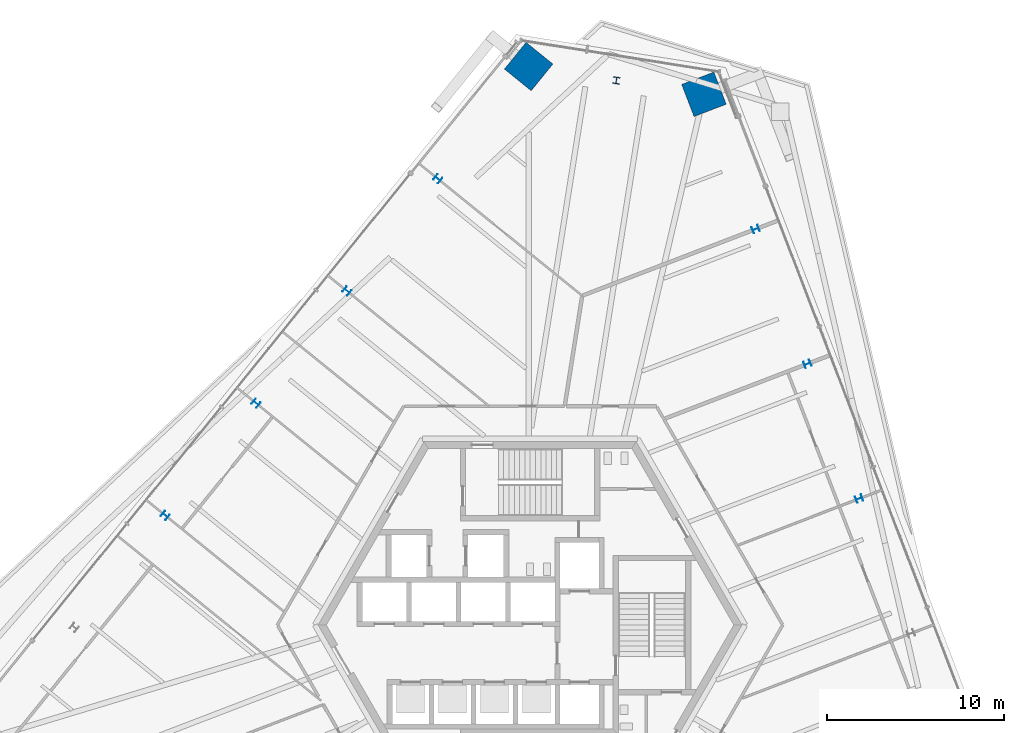
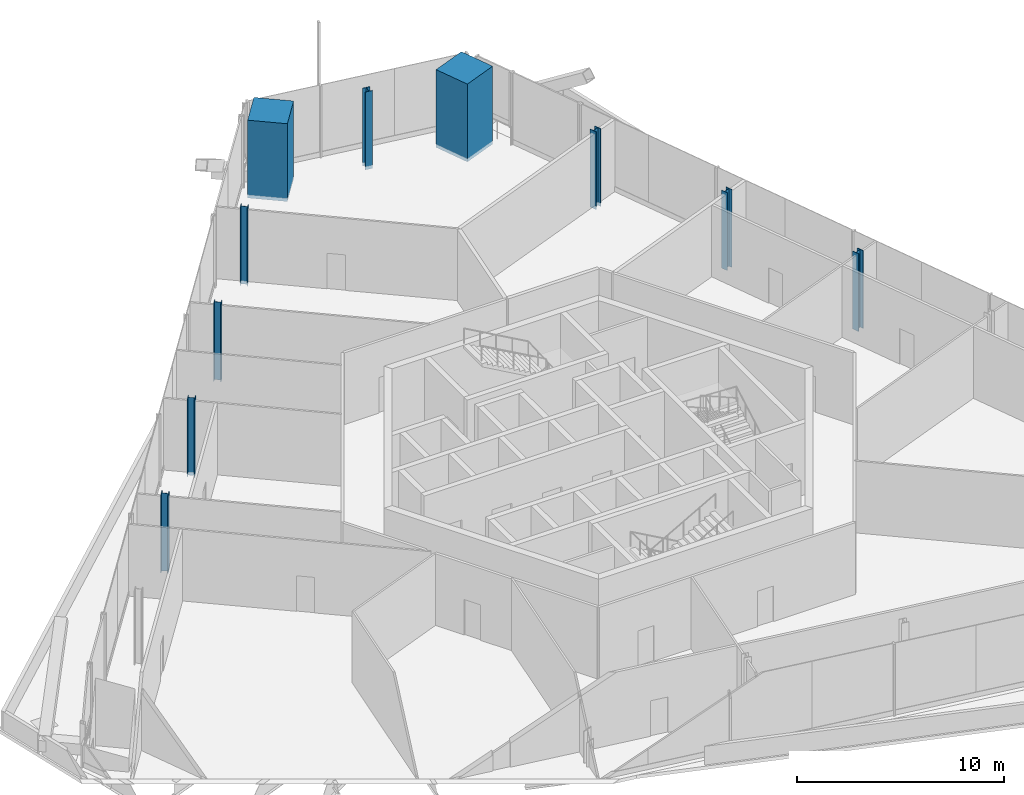
# One storey, part 3 of 22: 10 columns.
"""IFC4 building model written with IfcOpenShell, lengths in metres."""

from ifc_helpers import new_model, si_unit, direction, frame, origin, origin_2d, place, context, subcontext, project, spatial, rectangle, i_section, extrude, source, transform, mapped, material, material_profile, profile_set, type_object, element, save


model = new_model("IFC4")

# Units and contexts
model_context = context("Model", 3, precision=1e-05, world=origin(), true_north=direction((0.0, 1.0)))
body_context = subcontext(model_context, "Body", "Model", "MODEL_VIEW")
ifc_project = project(units=[si_unit("LENGTHUNIT", "METRE"), si_unit("AREAUNIT", "SQUARE_METRE"), si_unit("VOLUMEUNIT", "CUBIC_METRE"), si_unit("PLANEANGLEUNIT", "RADIAN"), si_unit("MASSUNIT", "GRAM", prefix="KILO")], contexts=[model_context])

# Site, building, storey
site_placement = place(None, origin())
site = spatial("IfcSite", under=ifc_project, at=site_placement, CompositionType="ELEMENT")
building_placement = place(site_placement, origin())
building = spatial("IfcBuilding", under=site, at=building_placement, Name="Triune Harvest Tower", CompositionType="ELEMENT")
storey_placement = place(building_placement, frame((0.0, 0.0, 138.10009765625)))
storey = spatial("IfcBuildingStorey", under=building, at=storey_placement, Name="L35", CompositionType="ELEMENT", Elevation=138.10009765625)

# Columns
ifc_material_1 = material(Name="Concrete 70 MPa", Category="concrete")
ifc_material_profile_1 = material_profile(ifc_material_1, rectangle(XDim=1.949951171875, YDim=1.949951171875, at=origin_2d()), Name="Composite 1950x1950")
ifc_profile_set_1 = profile_set([ifc_material_profile_1], Name="Concrete 70 MPa")
column_type_1 = type_object("IfcColumnType", Name="MC-4 Mega column Composite 1950x1950", PredefinedType="COLUMN", material=ifc_profile_set_1)
shared_shape_1 = source(origin(), body_context, "Body", "SweptSolid", [
    extrude(rectangle(XDim=1.949951171875, YDim=1.949951171875, at=origin_2d()), origin(), (0.0, 0.0, 1.0), 4.60009765625),
])
for number, where, z_axis, x_axis, name in (
    (1, (9.846923828125, 30.0498046875, -0.2001953125), (0.0, 0.0, 1.0), (-0.358367949545, 0.933580426497, 0.0), "col/L35/M6"),
    (2, (-0.0791015625, 31.621826171875, -0.2001953125), (0.0, 0.0, 1.0), (-0.629321747424, -0.777144863084, 0.0), "col/L35/M8"),
):
    element("IfcColumn", number, at=place(storey_placement, frame(where, z_axis=z_axis, x_axis=x_axis)), inside=storey, type_object=column_type_1, Name=name, PredefinedType="COLUMN", context=body_context, shape_type="MappedRepresentation", body=[
        mapped(shared_shape_1, transform((0.0, 0.0, 0.0), scale=1.0)),
    ])
ifc_material_2 = material(Name="Steel ASTM A992 Gr 50", Category="steel")
ifc_material_profile_2 = material_profile(ifc_material_2, i_section(OverallWidth=0.373291015625, OverallDepth=0.373291015625, WebThickness=0.016357421875, FlangeThickness=0.026123046875, at=origin_2d()), Name="W14x132")
ifc_profile_set_2 = profile_set([ifc_material_profile_2], Name="Steel ASTM A992 Gr 50")
column_type_2 = type_object("IfcColumnType", Name="PC-4 Perimeter column W14x132", PredefinedType="COLUMN", material=ifc_profile_set_2)
shared_shape_2 = source(origin(), body_context, "Body", "SweptSolid", [
    extrude(i_section(OverallWidth=0.373291015625, OverallDepth=0.373291015625, WebThickness=0.016357421875, FlangeThickness=0.026123046875, at=origin_2d()), origin(), (0.0, 0.0, 1.0), 4.60009765625),
])
for number, where, z_axis, x_axis, name in (
    (3, (18.635986328125, 7.15380859375, -0.2001953125), (0.0, 0.0, 1.0), (-0.358367949545, 0.933580426497, 0.0), "col/L35/P3"),
    (4, (15.706298828125, 14.78564453125, -0.2001953125), (0.0, 0.0, 1.0), (-0.358367949545, 0.933580426497, 0.0), "col/L35/P4"),
    (5, (12.776611328125, 22.417724609375, -0.2001953125), (0.0, 0.0, 1.0), (-0.358367949545, 0.933580426497, 0.0), "col/L35/P5"),
    (6, (4.8837890625, 30.8359375, -0.2001953125), (0.0, 0.0, 1.0), (-0.987688340595, 0.15643446504, 0.0), "col/L35/P7"),
    (7, (-5.223876953125, 25.268798828125, -0.2001953125), (0.0, 0.0, 1.0), (-0.629321747424, -0.777144863084, 0.0), "col/L35/P9"),
    (8, (-10.36865234375, 18.91552734375, -0.2001953125), (0.0, 0.0, 1.0), (-0.629321747424, -0.777144863084, 0.0), "col/L35/P10"),
    (9, (-15.51318359375, 12.5625, -0.2001953125), (0.0, 0.0, 1.0), (-0.629321747424, -0.777144863084, 0.0), "col/L35/P11"),
    (10, (-20.657958984375, 6.209228515625, -0.2001953125), (0.0, 0.0, 1.0), (-0.629321747424, -0.777144863084, 0.0), "col/L35/P12"),
):
    element("IfcColumn", number, at=place(storey_placement, frame(where, z_axis=z_axis, x_axis=x_axis)), inside=storey, type_object=column_type_2, Name=name, PredefinedType="COLUMN", context=body_context, shape_type="MappedRepresentation", body=[
        mapped(shared_shape_2, transform((0.0, 0.0, 0.0), scale=1.0)),
    ])

save(model, "model.ifc")
